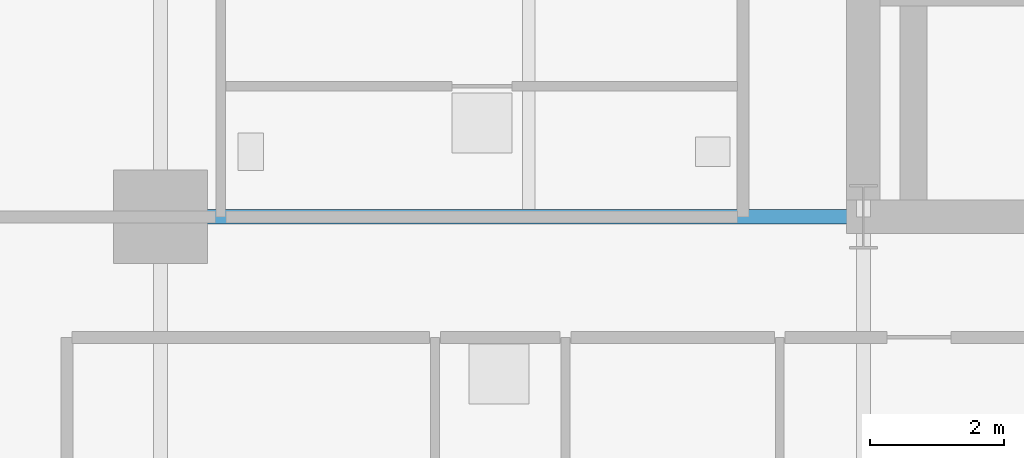
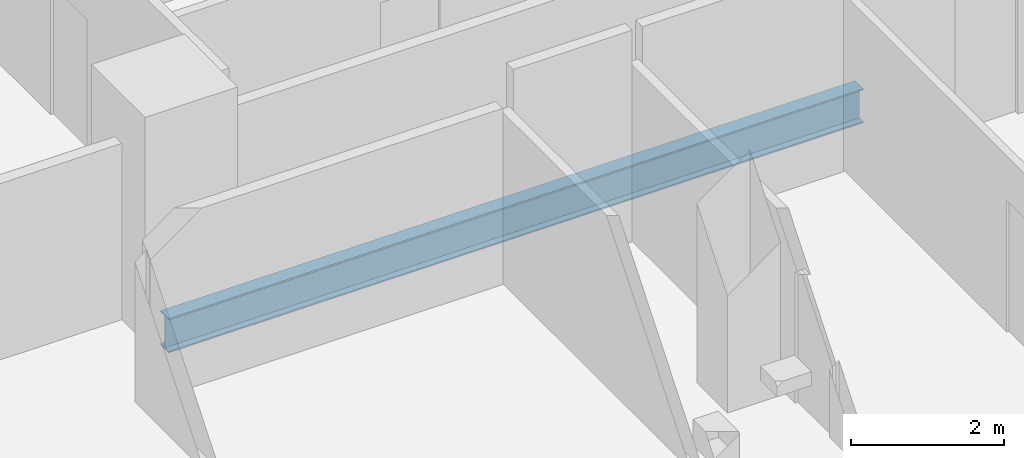
# One storey, part 5 of 24: 1 beam.
"""IFC4 building model written with IfcOpenShell, lengths in metres."""

from ifc_helpers import new_model, si_unit, direction, frame, origin, origin_2d, place, context, subcontext, project, spatial, i_section, extrude, material, material_profile, profile_set, type_object, element, save


model = new_model("IFC4")

# Units and contexts
model_context = context("Model", 3, precision=1e-05, world=origin(), true_north=direction((0.0, 1.0)))
body_context = subcontext(model_context, "Body", "Model", "MODEL_VIEW")
ifc_project = project(units=[si_unit("LENGTHUNIT", "METRE"), si_unit("AREAUNIT", "SQUARE_METRE"), si_unit("VOLUMEUNIT", "CUBIC_METRE"), si_unit("PLANEANGLEUNIT", "RADIAN"), si_unit("MASSUNIT", "GRAM", prefix="KILO")], contexts=[model_context])

# Site, building, storey
site_placement = place(None, origin())
site = spatial("IfcSite", under=ifc_project, at=site_placement, CompositionType="ELEMENT")
building_placement = place(site_placement, origin())
building = spatial("IfcBuilding", under=site, at=building_placement, Name="Barlavira Tower and Art Museum", CompositionType="ELEMENT")
storey_placement = place(building_placement, frame((0.0, 0.0, 43.199951171875)))
storey = spatial("IfcBuildingStorey", under=building, at=storey_placement, Name="L09", CompositionType="ELEMENT", Elevation=43.199951171875)

# Beam
ifc_material = material(Name="Steel S355", Category="steel")
ifc_material_profile = material_profile(ifc_material, i_section(OverallWidth=0.214111328125, OverallDepth=0.549072265625, WebThickness=0.0146484375, FlangeThickness=0.023681640625, at=origin_2d()), Name="W530x138.0")
ifc_profile_set = profile_set([ifc_material_profile], Name="Steel S355")
beam_type = type_object("IfcBeamType", Name="Zone 1 Primary Floor Girder W530x138 Steel S355", PredefinedType="BEAM", material=ifc_profile_set)
beam_placement = place(storey_placement, frame((-17.0, -7.5, -0.494384765625), z_axis=(1.0, 0.0, 0.0), x_axis=(0.0, 1.0, 0.0)))
element("IfcBeam", 1, at=beam_placement, inside=storey, type_object=beam_type, Name="L09 Girder R-W1", PredefinedType="BEAM", context=body_context, shape_type="SweptSolid", body=[
    extrude(i_section(OverallWidth=0.214111328125, OverallDepth=0.549072265625, WebThickness=0.0146484375, FlangeThickness=0.023681640625, at=origin_2d()), origin(), (0.0, 0.0, 1.0), 10.5),
])

save(model, "model.ifc")
